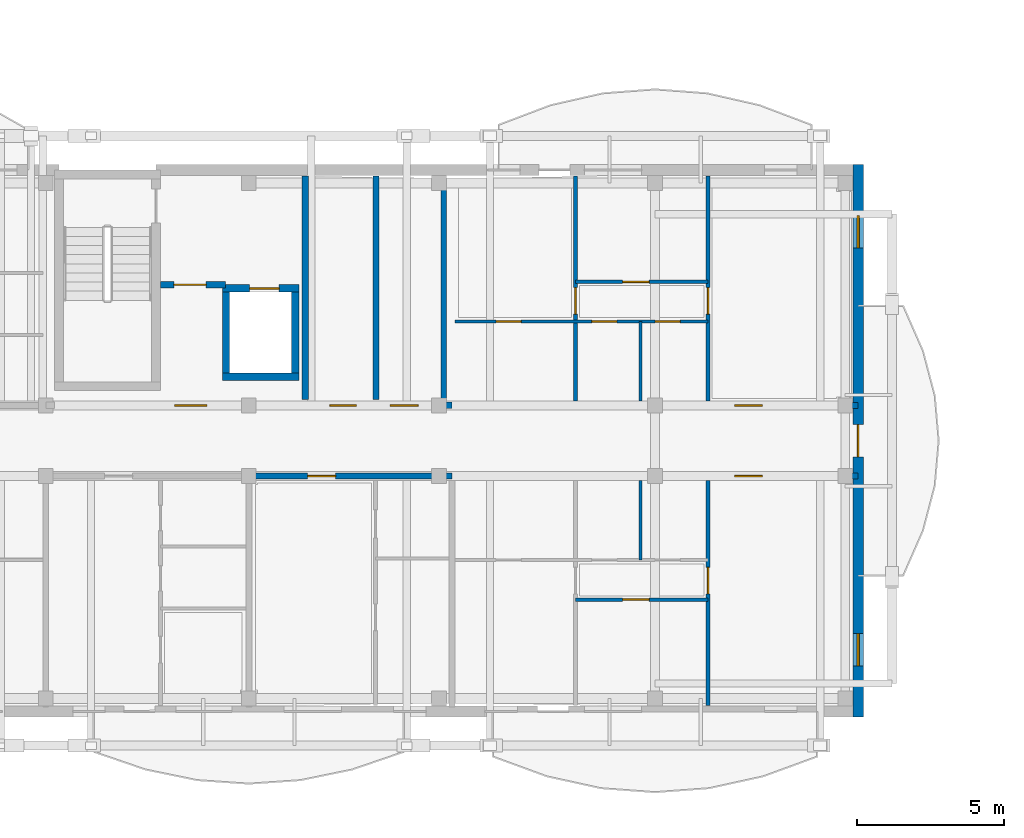
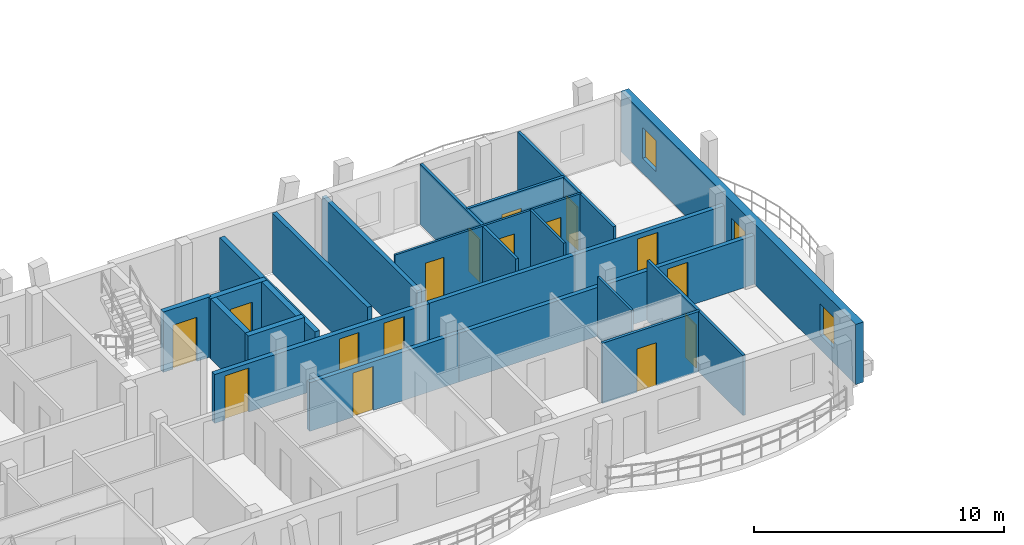
# One storey, part 20 of 52: 21 walls, 17 doors, 2 windows, 19 openings.
"""IFC4 building model written with IfcOpenShell, lengths in metres."""

from ifc_helpers import new_model, si_unit, direction, frame, frame_2d, origin, origin_with_axes, place, context, subcontext, project, spatial, rectangle, extrude, material, layer, layer_set, type_object, element, fill, save


model = new_model("IFC4")

# Units and contexts
model_context = context("Model", 3, precision=1e-05, world=origin(), true_north=direction((0.0, 1.0)))
body_context = subcontext(model_context, "Body", "Model", "MODEL_VIEW")
ifc_project = project(units=[si_unit("LENGTHUNIT", "METRE"), si_unit("AREAUNIT", "SQUARE_METRE"), si_unit("VOLUMEUNIT", "CUBIC_METRE"), si_unit("PLANEANGLEUNIT", "RADIAN"), si_unit("MASSUNIT", "GRAM", prefix="KILO")], contexts=[model_context])

# Site, building, storey
site_placement = place(None, origin())
site = spatial("IfcSite", under=ifc_project, at=site_placement, CompositionType="ELEMENT")
building_placement = place(site_placement, origin())
building = spatial("IfcBuilding", under=site, at=building_placement, Name="Zavelmont Quarter", CompositionType="ELEMENT")
storey_placement = place(building_placement, frame((0.0, 0.0, 14.39990234375)))
storey = spatial("IfcBuildingStorey", under=building, at=storey_placement, Name="L04", CompositionType="ELEMENT", Elevation=14.39990234375)

# Wall, openings, door, windows
ifc_material_1 = material(Name="Natural Belgian limestone", Category="masonry")
ifc_layer_1 = layer(ifc_material_1, 0.360107421875)
ifc_layer_set_1 = layer_set([ifc_layer_1], Name="Natural Belgian limestone")
wall_type_1 = type_object("IfcWallType", Name="EW02", PredefinedType="STANDARD", material=ifc_layer_set_1)
wall_1_placement = place(storey_placement, frame((55.199951171875, -0.179931640625, 0.0), z_axis=(0.0, 0.0, 1.0), x_axis=(0.0, 1.0, 0.0)))
wall_1 = element("IfcWall", 1, at=wall_1_placement, inside=storey, type_object=wall_type_1, Name="L04 exterior limestone wall EW02", PredefinedType="STANDARD", context=body_context, shape_type="SweptSolid", body=[
    extrude(rectangle(XDim=18.760009765625, YDim=0.360107421875, at=frame_2d((9.3798828125, 0.0))), origin(), (0.0, 0.0, 1.0), 2.940185546875),
])
opening_1_placement = place(wall_1_placement, frame((8.830078125, 0.0, 0.0)))
opening_1 = element("IfcOpeningElement", 2, at=opening_1_placement, cuts=wall_1, Name="Opening DR04B", PredefinedType="OPENING", context=body_context, shape_type="SweptSolid", body=[
    extrude(rectangle(XDim=1.10009765625, YDim=2.10009765625, at=frame_2d((0.550048828125, 1.050048828125))), frame((0.0, 0.19189453125, 0.0), z_axis=(0.0, -1.0, 0.0), x_axis=(1.0, 0.0, 0.0)), (0.0, 0.0, 1.0), 0.384033203125),
])
opening_2_placement = place(wall_1_placement, frame((1.72998046875, 0.0, 0.719970703125)))
opening_2 = element("IfcOpeningElement", 3, at=opening_2_placement, cuts=wall_1, Name="Opening WN09", PredefinedType="OPENING", context=body_context, shape_type="SweptSolid", body=[
    extrude(rectangle(XDim=1.10009765625, YDim=1.5, at=frame_2d((0.550048828125, 0.75))), frame((0.0, 0.19189453125, 0.0), z_axis=(0.0, -1.0, 0.0), x_axis=(1.0, 0.0, 0.0)), (0.0, 0.0, 1.0), 0.384033203125),
])
opening_3_placement = place(wall_1_placement, frame((15.929931640625, 0.0, 0.719970703125)))
opening_3 = element("IfcOpeningElement", 4, at=opening_3_placement, cuts=wall_1, Name="Opening WN09", PredefinedType="OPENING", context=body_context, shape_type="SweptSolid", body=[
    extrude(rectangle(XDim=1.10009765625, YDim=1.5, at=frame_2d((0.550048828125, 0.75))), frame((0.0, 0.19189453125, 0.0), z_axis=(0.0, -1.0, 0.0), x_axis=(1.0, 0.0, 0.0)), (0.0, 0.0, 1.0), 0.384033203125),
])
ifc_material_2 = material(Name="Thermally broken aluminium and double safety glass", Category="aluminium")
door_type_1 = type_object("IfcDoorType", Name="DR04B", OperationType="NOTDEFINED", PredefinedType="DOOR", material=ifc_material_2)
door_1_placement = place(opening_1_placement, origin_with_axes())
door_1 = element("IfcDoor", 5, at=door_1_placement, inside=storey, type_object=door_type_1, Name="Block A L04 terrace or vase balcony door", OperationType="SINGLE_SWING_LEFT", OverallHeight=2.10009765625, OverallWidth=1.10009765625, PredefinedType="DOOR", context=body_context, shape_type="SweptSolid", body=[
    extrude(rectangle(XDim=1.10009765625, YDim=2.10009765625, at=frame_2d((0.550048828125, 1.050048828125))), frame((0.0, 0.02490234375, 0.0), z_axis=(0.0, -1.0, 0.0), x_axis=(1.0, 0.0, 0.0)), (0.0, 0.0, 1.0), 0.050048828125),
])
fill(opening_1, door_1)
ifc_material_3 = material(Name="Double low-E insulated glazing in thermally broken aluminium frame", Category="aluminium")
window_type = type_object("IfcWindowType", Name="WN09", PartitioningType="SINGLE_PANEL", PredefinedType="WINDOW", material=ifc_material_3)
window_1_placement = place(opening_2_placement, origin_with_axes())
window_1 = element("IfcWindow", 6, at=window_1_placement, inside=storey, type_object=window_type, Name="L04 window WN09", OverallHeight=1.5, OverallWidth=1.10009765625, PartitioningType="SINGLE_PANEL", PredefinedType="WINDOW", context=body_context, shape_type="SweptSolid", body=[
    extrude(rectangle(XDim=1.10009765625, YDim=1.5, at=frame_2d((0.550048828125, 0.75))), frame((0.0, 0.030029296875, 0.0), z_axis=(0.0, -1.0, 0.0), x_axis=(1.0, 0.0, 0.0)), (0.0, 0.0, 1.0), 0.06005859375),
])
fill(opening_2, window_1)
window_2_placement = place(opening_3_placement, origin_with_axes())
window_2 = element("IfcWindow", 7, at=window_2_placement, inside=storey, type_object=window_type, Name="L04 window WN09", OverallHeight=1.5, OverallWidth=1.10009765625, PartitioningType="SINGLE_PANEL", PredefinedType="WINDOW", context=body_context, shape_type="SweptSolid", body=[
    extrude(rectangle(XDim=1.10009765625, YDim=1.5, at=frame_2d((0.550048828125, 0.75))), frame((0.0, 0.030029296875, 0.0), z_axis=(0.0, -1.0, 0.0), x_axis=(1.0, 0.0, 0.0)), (0.0, 0.0, 1.0), 0.06005859375),
])
fill(opening_3, window_2)

# Walls
ifc_material_4 = material(Name="Calcium-silicate blockwork and acoustic plaster", Category="masonry")
ifc_layer_2 = layer(ifc_material_4, 0.199951171875)
ifc_layer_set_2 = layer_set([ifc_layer_2], Name="Calcium-silicate blockwork and acoustic plaster")
wall_type_2 = type_object("IfcWallType", Name="IW01", PredefinedType="PARTITIONING", material=ifc_layer_set_2)
for number, where, z_axis, x_axis, name in (
    (8, (38.824951171875, 10.60009765625, 0.0), (0.0, 0.0, 1.0), (0.0, 1.0, 0.0), "L04 Service riser divider wall IW01"),
    (9, (41.1201171875, 10.60009765625, 0.0), (0.0, 0.0, 1.0), (0.0, 1.0, 0.0), "L04 Core service end wall IW01"),
):
    element("IfcWall", number, at=place(storey_placement, frame(where, z_axis=z_axis, x_axis=x_axis)), inside=storey, type_object=wall_type_2, Name=name, PredefinedType="PARTITIONING", context=body_context, shape_type="SweptSolid", body=[
        extrude(rectangle(XDim=7.599853515625, YDim=0.199951171875, at=frame_2d((3.7998046875, 0.0))), origin(), (0.0, 0.0, 1.0), 2.940185546875),
    ])

# Wall, opening, door
wall_2_placement = place(storey_placement, frame((34.5, 8.0, 0.0), z_axis=(0.0, 0.0, 1.0), x_axis=(1.0, 0.0, 0.0)))
wall_2 = element("IfcWall", 10, at=wall_2_placement, inside=storey, type_object=wall_type_2, Name="L04 Corridor compartment wall IW01", PredefinedType="PARTITIONING", context=body_context, shape_type="SweptSolid", body=[
    extrude(rectangle(XDim=6.89990234375, YDim=0.199951171875, at=frame_2d((3.449951171875, 0.0))), origin(), (0.0, 0.0, 1.0), 2.380126953125),
])
opening_4_placement = place(wall_2_placement, frame((2.0, 0.0, 0.0)))
opening_4 = element("IfcOpeningElement", 11, at=opening_4_placement, cuts=wall_2, Name="Opening DR02", PredefinedType="OPENING", context=body_context, shape_type="SweptSolid", body=[
    extrude(rectangle(XDim=0.949951171875, YDim=2.14990234375, at=frame_2d((0.47509765625, 1.074951171875))), frame((0.0, 0.11181640625, 0.0), z_axis=(0.0, -1.0, 0.0), x_axis=(1.0, 0.0, 0.0)), (0.0, 0.0, 1.0), 0.223876953125),
])
ifc_material_5 = material(Name="Solid-core oak fire leaf in steel frame", Category="steel")
door_type_2 = type_object("IfcDoorType", Name="DR02", OperationType="NOTDEFINED", PredefinedType="DOOR", material=ifc_material_5)
door_2_placement = place(opening_4_placement, frame((0.949951171875, 0.0, 0.0), z_axis=(0.0, 0.0, 1.0), x_axis=(-1.0, 0.0, 0.0)))
door_2 = element("IfcDoor", 12, at=door_2_placement, inside=storey, type_object=door_type_2, Name="L04 door DR02", OperationType="SINGLE_SWING_LEFT", OverallHeight=2.14990234375, OverallWidth=0.949951171875, PredefinedType="DOOR", context=body_context, shape_type="SweptSolid", body=[
    extrude(rectangle(XDim=0.949951171875, YDim=2.14990234375, at=frame_2d((0.47509765625, 1.074951171875))), frame((0.0, 0.02490234375, 0.0), z_axis=(0.0, -1.0, 0.0), x_axis=(1.0, 0.0, 0.0)), (0.0, 0.0, 1.0), 0.050048828125),
])
fill(opening_4, door_2)

wall_3_placement = place(storey_placement, frame((41.39990234375, 8.0, 0.0), z_axis=(0.0, 0.0, 1.0), x_axis=(1.0, 0.0, 0.0)))
wall_3 = element("IfcWall", 13, at=wall_3_placement, inside=storey, type_object=wall_type_2, Name="L04 Corridor compartment wall IW01", PredefinedType="PARTITIONING", context=body_context, shape_type="SweptSolid", body=[
    extrude(rectangle(XDim=13.800048828125, YDim=0.199951171875, at=frame_2d((6.89990234375, 0.0))), origin(), (0.0, 0.0, 1.0), 2.380126953125),
])
opening_5_placement = place(wall_3_placement, frame((9.60009765625, 0.0, 0.0)))
opening_5 = element("IfcOpeningElement", 14, at=opening_5_placement, cuts=wall_3, Name="Opening DR02", PredefinedType="OPENING", context=body_context, shape_type="SweptSolid", body=[
    extrude(rectangle(XDim=0.949951171875, YDim=2.14990234375, at=frame_2d((0.47509765625, 1.074951171875))), frame((0.0, 0.11181640625, 0.0), z_axis=(0.0, -1.0, 0.0), x_axis=(1.0, 0.0, 0.0)), (0.0, 0.0, 1.0), 0.223876953125),
])
door_3_placement = place(opening_5_placement, frame((0.949951171875, 0.0, 0.0), z_axis=(0.0, 0.0, 1.0), x_axis=(-1.0, 0.0, 0.0)))
door_3 = element("IfcDoor", 15, at=door_3_placement, inside=storey, type_object=door_type_2, Name="L04 door DR02", OperationType="SINGLE_SWING_LEFT", OverallHeight=2.14990234375, OverallWidth=0.949951171875, PredefinedType="DOOR", context=body_context, shape_type="SweptSolid", body=[
    extrude(rectangle(XDim=0.949951171875, YDim=2.14990234375, at=frame_2d((0.47509765625, 1.074951171875))), frame((0.0, 0.02490234375, 0.0), z_axis=(0.0, -1.0, 0.0), x_axis=(1.0, 0.0, 0.0)), (0.0, 0.0, 1.0), 0.050048828125),
])
fill(opening_5, door_3)

wall_4_placement = place(storey_placement, frame((41.39990234375, 10.39990234375, 0.0), z_axis=(0.0, 0.0, 1.0), x_axis=(1.0, 0.0, 0.0)))
wall_4 = element("IfcWall", 16, at=wall_4_placement, inside=storey, type_object=wall_type_2, Name="L04 Corridor compartment wall IW01", PredefinedType="PARTITIONING", context=body_context, shape_type="SweptSolid", body=[
    extrude(rectangle(XDim=13.800048828125, YDim=0.199951171875, at=frame_2d((6.89990234375, 0.0))), origin(), (0.0, 0.0, 1.0), 2.380126953125),
])
opening_6_placement = place(wall_4_placement, frame((9.60009765625, 0.0, 0.0)))
opening_6 = element("IfcOpeningElement", 17, at=opening_6_placement, cuts=wall_4, Name="Opening DR02", PredefinedType="OPENING", context=body_context, shape_type="SweptSolid", body=[
    extrude(rectangle(XDim=0.949951171875, YDim=2.14990234375, at=frame_2d((0.47509765625, 1.074951171875))), frame((0.0, 0.11181640625, 0.0), z_axis=(0.0, -1.0, 0.0), x_axis=(1.0, 0.0, 0.0)), (0.0, 0.0, 1.0), 0.223876953125),
])
door_4_placement = place(opening_6_placement, origin_with_axes())
door_4 = element("IfcDoor", 18, at=door_4_placement, inside=storey, type_object=door_type_2, Name="L04 door DR02", OperationType="SINGLE_SWING_LEFT", OverallHeight=2.14990234375, OverallWidth=0.949951171875, PredefinedType="DOOR", context=body_context, shape_type="SweptSolid", body=[
    extrude(rectangle(XDim=0.949951171875, YDim=2.14990234375, at=frame_2d((0.47509765625, 1.074951171875))), frame((0.0, 0.02490234375, 0.0), z_axis=(0.0, -1.0, 0.0), x_axis=(1.0, 0.0, 0.0)), (0.0, 0.0, 1.0), 0.050048828125),
])
fill(opening_6, door_4)

# Wall
ifc_material_6 = material(Name="Reinforced masonry fire compartment wall", Category="masonry")
ifc_layer_3 = layer(ifc_material_6, 0.22509765625)
ifc_layer_set_3 = layer_set([ifc_layer_3], Name="Reinforced masonry fire compartment wall")
wall_type_3 = type_object("IfcWallType", Name="IW02", PredefinedType="PARTITIONING", material=ifc_layer_set_3)
wall_5_placement = place(storey_placement, frame((36.409912109375, 10.60009765625, 0.0), z_axis=(0.0, 0.0, 1.0), x_axis=(0.0, 1.0, 0.0)))
element("IfcWall", 19, at=wall_5_placement, inside=storey, type_object=wall_type_3, Name="L04 Firefighting lobby enclosure wall IW02", PredefinedType="PARTITIONING", context=body_context, shape_type="SweptSolid", body=[
    extrude(rectangle(XDim=7.599853515625, YDim=0.22509765625, at=frame_2d((3.7998046875, 0.0))), origin(), (0.0, 0.0, 1.0), 2.590087890625),
])

# Wall, opening, door
wall_6_placement = place(storey_placement, frame((31.5, 14.5, 0.0), z_axis=(0.0, 0.0, 1.0), x_axis=(1.0, 0.0, 0.0)))
wall_6 = element("IfcWall", 20, at=wall_6_placement, inside=storey, type_object=wall_type_3, Name="L04 Firefighting lobby threshold wall IW02", PredefinedType="PARTITIONING", context=body_context, shape_type="SweptSolid", body=[
    extrude(rectangle(XDim=2.199951171875, YDim=0.22509765625, at=frame_2d((1.10009765625, 0.0))), origin(), (0.0, 0.0, 1.0), 2.940185546875),
])
opening_7_placement = place(wall_6_placement, frame((0.449951171875, 0.0, 0.0)))
opening_7 = element("IfcOpeningElement", 21, at=opening_7_placement, cuts=wall_6, Name="Opening DR10", PredefinedType="OPENING", context=body_context, shape_type="SweptSolid", body=[
    extrude(rectangle(XDim=1.10009765625, YDim=2.14990234375, at=frame_2d((0.550048828125, 1.074951171875))), frame((0.0, 0.12451171875, 0.0), z_axis=(0.0, -1.0, 0.0), x_axis=(1.0, 0.0, 0.0)), (0.0, 0.0, 1.0), 0.2490234375),
])
ifc_material_7 = material(Name="Painted steel lobby fire door", Category="steel")
door_type_3 = type_object("IfcDoorType", Name="DR10", OperationType="NOTDEFINED", PredefinedType="DOOR", material=ifc_material_7)
door_5_placement = place(opening_7_placement, origin_with_axes())
door_5 = element("IfcDoor", 22, at=door_5_placement, inside=storey, type_object=door_type_3, Name="Firefighting lobby fire door", OperationType="SINGLE_SWING_LEFT", OverallHeight=2.14990234375, OverallWidth=1.10009765625, PredefinedType="DOOR", context=body_context, shape_type="SweptSolid", body=[
    extrude(rectangle(XDim=1.10009765625, YDim=2.14990234375, at=frame_2d((0.550048828125, 1.074951171875))), frame((0.0, 0.02490234375, 0.0), z_axis=(0.0, -1.0, 0.0), x_axis=(1.0, 0.0, 0.0)), (0.0, 0.0, 1.0), 0.050048828125),
])
fill(opening_7, door_5)

# Wall, openings, doors
wall_7_placement = place(storey_placement, frame((31.5, 10.39990234375, 0.0), z_axis=(0.0, 0.0, 1.0), x_axis=(1.0, 0.0, 0.0)))
wall_7 = element("IfcWall", 23, at=wall_7_placement, inside=storey, type_object=wall_type_3, Name="L04 Core corridor fire wall IW02", PredefinedType="PARTITIONING", context=body_context, shape_type="SweptSolid", body=[
    extrude(rectangle(XDim=9.89990234375, YDim=0.22509765625, at=frame_2d((4.949951171875, 0.0))), origin(), (0.0, 0.0, 1.0), 2.380126953125),
])
opening_8_placement = place(wall_7_placement, frame((0.47509765625, 0.0, 0.0)))
opening_8 = element("IfcOpeningElement", 24, at=opening_8_placement, cuts=wall_7, Name="Opening DR10", PredefinedType="OPENING", context=body_context, shape_type="SweptSolid", body=[
    extrude(rectangle(XDim=1.10009765625, YDim=2.14990234375, at=frame_2d((0.550048828125, 1.074951171875))), frame((0.0, 0.12451171875, 0.0), z_axis=(0.0, -1.0, 0.0), x_axis=(1.0, 0.0, 0.0)), (0.0, 0.0, 1.0), 0.2490234375),
])
opening_9_placement = place(wall_7_placement, frame((5.75, 0.0, 0.0)))
opening_9 = element("IfcOpeningElement", 25, at=opening_9_placement, cuts=wall_7, Name="Opening DR11", PredefinedType="OPENING", context=body_context, shape_type="SweptSolid", body=[
    extrude(rectangle(XDim=0.89990234375, YDim=2.10009765625, at=frame_2d((0.449951171875, 1.050048828125))), frame((0.0, 0.12451171875, 0.0), z_axis=(0.0, -1.0, 0.0), x_axis=(1.0, 0.0, 0.0)), (0.0, 0.0, 1.0), 0.2490234375),
])
opening_10_placement = place(wall_7_placement, frame((7.800048828125, 0.0, 0.0)))
opening_10 = element("IfcOpeningElement", 26, at=opening_10_placement, cuts=wall_7, Name="Opening DR02", PredefinedType="OPENING", context=body_context, shape_type="SweptSolid", body=[
    extrude(rectangle(XDim=0.949951171875, YDim=2.14990234375, at=frame_2d((0.47509765625, 1.074951171875))), frame((0.0, 0.12451171875, 0.0), z_axis=(0.0, -1.0, 0.0), x_axis=(1.0, 0.0, 0.0)), (0.0, 0.0, 1.0), 0.2490234375),
])
door_6_placement = place(opening_10_placement, frame((0.949951171875, 0.0, 0.0), z_axis=(0.0, 0.0, 1.0), x_axis=(-1.0, 0.0, 0.0)))
door_6 = element("IfcDoor", 27, at=door_6_placement, inside=storey, type_object=door_type_2, Name="Auxiliary store corridor door", OperationType="SINGLE_SWING_RIGHT", OverallHeight=2.14990234375, OverallWidth=0.949951171875, PredefinedType="DOOR", context=body_context, shape_type="SweptSolid", body=[
    extrude(rectangle(XDim=0.949951171875, YDim=2.14990234375, at=frame_2d((0.47509765625, 1.074951171875))), frame((0.0, 0.02490234375, 0.0), z_axis=(0.0, -1.0, 0.0), x_axis=(1.0, 0.0, 0.0)), (0.0, 0.0, 1.0), 0.050048828125),
])
fill(opening_10, door_6)
door_7_placement = place(opening_8_placement, origin_with_axes())
door_7 = element("IfcDoor", 28, at=door_7_placement, inside=storey, type_object=door_type_3, Name="Core vestibule fire door", OperationType="SINGLE_SWING_RIGHT", OverallHeight=2.14990234375, OverallWidth=1.10009765625, PredefinedType="DOOR", context=body_context, shape_type="SweptSolid", body=[
    extrude(rectangle(XDim=1.10009765625, YDim=2.14990234375, at=frame_2d((0.550048828125, 1.074951171875))), frame((0.0, 0.02490234375, 0.0), z_axis=(0.0, -1.0, 0.0), x_axis=(1.0, 0.0, 0.0)), (0.0, 0.0, 1.0), 0.050048828125),
])
fill(opening_8, door_7)
ifc_material_8 = material(Name="Painted steel service-riser fire door", Category="steel")
door_type_4 = type_object("IfcDoorType", Name="DR11", OperationType="NOTDEFINED", PredefinedType="DOOR", material=ifc_material_8)
door_8_placement = place(opening_9_placement, frame((0.89990234375, 0.0, 0.0), z_axis=(0.0, 0.0, 1.0), x_axis=(-1.0, 0.0, 0.0)))
door_8 = element("IfcDoor", 29, at=door_8_placement, inside=storey, type_object=door_type_4, Name="Service riser fire door", OperationType="SINGLE_SWING_LEFT", OverallHeight=2.10009765625, OverallWidth=0.89990234375, PredefinedType="DOOR", context=body_context, shape_type="SweptSolid", body=[
    extrude(rectangle(XDim=0.89990234375, YDim=2.10009765625, at=frame_2d((0.449951171875, 1.050048828125))), frame((0.0, 0.02490234375, 0.0), z_axis=(0.0, -1.0, 0.0), x_axis=(1.0, 0.0, 0.0)), (0.0, 0.0, 1.0), 0.050048828125),
])
fill(opening_9, door_8)

# Wall, opening, door
ifc_material_9 = material(Name="Double gypsum board on acoustic steel stud", Category="steel")
ifc_layer_4 = layer(ifc_material_9, 0.125)
ifc_layer_set_4 = layer_set([ifc_layer_4], Name="Double gypsum board on acoustic steel stud")
wall_type_4 = type_object("IfcWallType", Name="IW03", PredefinedType="PARTITIONING", material=ifc_layer_set_4)
wall_8_placement = place(storey_placement, frame((50.10009765625, 7.85009765625, 0.0), z_axis=(0.0, 0.0, 1.0), x_axis=(0.0, -1.0, 0.0)))
wall_8 = element("IfcWall", 30, at=wall_8_placement, inside=storey, type_object=wall_type_4, Name="L04 Partition IW03", PredefinedType="PARTITIONING", context=body_context, shape_type="SweptSolid", body=[
    extrude(rectangle(XDim=7.650146484375, YDim=0.125, at=frame_2d((3.8251953125, 0.0))), origin(), (0.0, 0.0, 1.0), 2.940185546875),
])
opening_11_placement = place(wall_8_placement, frame((2.949951171875, 0.0, 0.0)))
opening_11 = element("IfcOpeningElement", 31, at=opening_11_placement, cuts=wall_8, Name="Opening DR05", PredefinedType="OPENING", context=body_context, shape_type="SweptSolid", body=[
    extrude(rectangle(XDim=0.89990234375, YDim=2.10009765625, at=frame_2d((0.449951171875, 1.050048828125))), frame((0.0, 0.074462890625, 0.0), z_axis=(0.0, -1.0, 0.0), x_axis=(1.0, 0.0, 0.0)), (0.0, 0.0, 1.0), 0.14892578125),
])
ifc_material_10 = material(Name="Engineered oak flush interior door")
door_type_5 = type_object("IfcDoorType", Name="DR05", OperationType="NOTDEFINED", PredefinedType="DOOR", material=ifc_material_10)
door_9_placement = place(opening_11_placement, origin_with_axes())
door_9 = element("IfcDoor", 32, at=door_9_placement, inside=storey, type_object=door_type_5, Name="L04 door DR05", OperationType="SINGLE_SWING_LEFT", OverallHeight=2.10009765625, OverallWidth=0.89990234375, PredefinedType="DOOR", context=body_context, shape_type="SweptSolid", body=[
    extrude(rectangle(XDim=0.89990234375, YDim=2.10009765625, at=frame_2d((0.449951171875, 1.050048828125))), frame((0.0, 0.02490234375, 0.0), z_axis=(0.0, -1.0, 0.0), x_axis=(1.0, 0.0, 0.0)), (0.0, 0.0, 1.0), 0.050048828125),
])
fill(opening_11, door_9)

wall_9_placement = place(storey_placement, frame((45.60009765625, 3.800048828125, 0.0), z_axis=(0.0, 0.0, 1.0), x_axis=(1.0, 0.0, 0.0)))
wall_9 = element("IfcWall", 33, at=wall_9_placement, inside=storey, type_object=wall_type_4, Name="L04 Partition IW03", PredefinedType="PARTITIONING", context=body_context, shape_type="SweptSolid", body=[
    extrude(rectangle(XDim=4.5, YDim=0.125, at=frame_2d((2.25, 0.0))), origin(), (0.0, 0.0, 1.0), 2.940185546875),
])
opening_12_placement = place(wall_9_placement, frame((1.60009765625, 0.0, 0.0)))
opening_12 = element("IfcOpeningElement", 34, at=opening_12_placement, cuts=wall_9, Name="Opening DR05", PredefinedType="OPENING", context=body_context, shape_type="SweptSolid", body=[
    extrude(rectangle(XDim=0.89990234375, YDim=2.10009765625, at=frame_2d((0.449951171875, 1.050048828125))), frame((0.0, 0.074462890625, 0.0), z_axis=(0.0, -1.0, 0.0), x_axis=(1.0, 0.0, 0.0)), (0.0, 0.0, 1.0), 0.14892578125),
])
door_10_placement = place(opening_12_placement, frame((0.89990234375, 0.0, 0.0), z_axis=(0.0, 0.0, 1.0), x_axis=(-1.0, 0.0, 0.0)))
door_10 = element("IfcDoor", 35, at=door_10_placement, inside=storey, type_object=door_type_5, Name="L04 door DR05", OperationType="SINGLE_SWING_RIGHT", OverallHeight=2.10009765625, OverallWidth=0.89990234375, PredefinedType="DOOR", context=body_context, shape_type="SweptSolid", body=[
    extrude(rectangle(XDim=0.89990234375, YDim=2.10009765625, at=frame_2d((0.449951171875, 1.050048828125))), frame((0.0, 0.02490234375, 0.0), z_axis=(0.0, -1.0, 0.0), x_axis=(1.0, 0.0, 0.0)), (0.0, 0.0, 1.0), 0.050048828125),
])
fill(opening_12, door_10)

wall_10_placement = place(storey_placement, frame((50.10009765625, 10.550048828125, 0.0), z_axis=(0.0, 0.0, 1.0), x_axis=(0.0, 1.0, 0.0)))
wall_10 = element("IfcWall", 36, at=wall_10_placement, inside=storey, type_object=wall_type_4, Name="L04 Partition IW03", PredefinedType="PARTITIONING", context=body_context, shape_type="SweptSolid", body=[
    extrude(rectangle(XDim=7.64990234375, YDim=0.125, at=frame_2d((3.824951171875, 0.0))), origin(), (0.0, 0.0, 1.0), 2.940185546875),
])
opening_13_placement = place(wall_10_placement, frame((2.949951171875, 0.0, 0.0)))
opening_13 = element("IfcOpeningElement", 37, at=opening_13_placement, cuts=wall_10, Name="Opening DR05", PredefinedType="OPENING", context=body_context, shape_type="SweptSolid", body=[
    extrude(rectangle(XDim=0.89990234375, YDim=2.10009765625, at=frame_2d((0.449951171875, 1.050048828125))), frame((0.0, 0.074462890625, 0.0), z_axis=(0.0, -1.0, 0.0), x_axis=(1.0, 0.0, 0.0)), (0.0, 0.0, 1.0), 0.14892578125),
])
door_11_placement = place(opening_13_placement, origin_with_axes())
door_11 = element("IfcDoor", 38, at=door_11_placement, inside=storey, type_object=door_type_5, Name="L04 door DR05", OperationType="SINGLE_SWING_LEFT", OverallHeight=2.10009765625, OverallWidth=0.89990234375, PredefinedType="DOOR", context=body_context, shape_type="SweptSolid", body=[
    extrude(rectangle(XDim=0.89990234375, YDim=2.10009765625, at=frame_2d((0.449951171875, 1.050048828125))), frame((0.0, 0.02490234375, 0.0), z_axis=(0.0, -1.0, 0.0), x_axis=(1.0, 0.0, 0.0)), (0.0, 0.0, 1.0), 0.050048828125),
])
fill(opening_13, door_11)

wall_11_placement = place(storey_placement, frame((45.60009765625, 10.550048828125, 0.0), z_axis=(0.0, 0.0, 1.0), x_axis=(0.0, 1.0, 0.0)))
wall_11 = element("IfcWall", 39, at=wall_11_placement, inside=storey, type_object=wall_type_4, Name="L04 Partition IW03", PredefinedType="PARTITIONING", context=body_context, shape_type="SweptSolid", body=[
    extrude(rectangle(XDim=7.64990234375, YDim=0.125, at=frame_2d((3.824951171875, 0.0))), origin(), (0.0, 0.0, 1.0), 2.940185546875),
])
opening_14_placement = place(wall_11_placement, frame((2.949951171875, 0.0, 0.0)))
opening_14 = element("IfcOpeningElement", 40, at=opening_14_placement, cuts=wall_11, Name="Opening DR05", PredefinedType="OPENING", context=body_context, shape_type="SweptSolid", body=[
    extrude(rectangle(XDim=0.89990234375, YDim=2.10009765625, at=frame_2d((0.449951171875, 1.050048828125))), frame((0.0, 0.074462890625, 0.0), z_axis=(0.0, -1.0, 0.0), x_axis=(1.0, 0.0, 0.0)), (0.0, 0.0, 1.0), 0.14892578125),
])
door_12_placement = place(opening_14_placement, frame((0.89990234375, 0.0, 0.0), z_axis=(0.0, 0.0, 1.0), x_axis=(-1.0, 0.0, 0.0)))
door_12 = element("IfcDoor", 41, at=door_12_placement, inside=storey, type_object=door_type_5, Name="L04 door DR05", OperationType="SINGLE_SWING_RIGHT", OverallHeight=2.10009765625, OverallWidth=0.89990234375, PredefinedType="DOOR", context=body_context, shape_type="SweptSolid", body=[
    extrude(rectangle(XDim=0.89990234375, YDim=2.10009765625, at=frame_2d((0.449951171875, 1.050048828125))), frame((0.0, 0.02490234375, 0.0), z_axis=(0.0, -1.0, 0.0), x_axis=(1.0, 0.0, 0.0)), (0.0, 0.0, 1.0), 0.050048828125),
])
fill(opening_14, door_12)

wall_12_placement = place(storey_placement, frame((45.60009765625, 14.60009765625, 0.0), z_axis=(0.0, 0.0, 1.0), x_axis=(1.0, 0.0, 0.0)))
wall_12 = element("IfcWall", 42, at=wall_12_placement, inside=storey, type_object=wall_type_4, Name="L04 Partition IW03", PredefinedType="PARTITIONING", context=body_context, shape_type="SweptSolid", body=[
    extrude(rectangle(XDim=4.5, YDim=0.125, at=frame_2d((2.25, 0.0))), origin(), (0.0, 0.0, 1.0), 2.940185546875),
])
opening_15_placement = place(wall_12_placement, frame((1.60009765625, 0.0, 0.0)))
opening_15 = element("IfcOpeningElement", 43, at=opening_15_placement, cuts=wall_12, Name="Opening DR05", PredefinedType="OPENING", context=body_context, shape_type="SweptSolid", body=[
    extrude(rectangle(XDim=0.89990234375, YDim=2.10009765625, at=frame_2d((0.449951171875, 1.050048828125))), frame((0.0, 0.074462890625, 0.0), z_axis=(0.0, -1.0, 0.0), x_axis=(1.0, 0.0, 0.0)), (0.0, 0.0, 1.0), 0.14892578125),
])
door_13_placement = place(opening_15_placement, frame((0.89990234375, 0.0, 0.0), z_axis=(0.0, 0.0, 1.0), x_axis=(-1.0, 0.0, 0.0)))
door_13 = element("IfcDoor", 44, at=door_13_placement, inside=storey, type_object=door_type_5, Name="L04 door DR05", OperationType="SINGLE_SWING_RIGHT", OverallHeight=2.10009765625, OverallWidth=0.89990234375, PredefinedType="DOOR", context=body_context, shape_type="SweptSolid", body=[
    extrude(rectangle(XDim=0.89990234375, YDim=2.10009765625, at=frame_2d((0.449951171875, 1.050048828125))), frame((0.0, 0.02490234375, 0.0), z_axis=(0.0, -1.0, 0.0), x_axis=(1.0, 0.0, 0.0)), (0.0, 0.0, 1.0), 0.050048828125),
])
fill(opening_15, door_13)

# Walls
ifc_material_11 = material(Name="Moisture-resistant gypsum board on steel stud", Category="steel")
ifc_layer_5 = layer(ifc_material_11, 0.10009765625)
ifc_layer_set_5 = layer_set([ifc_layer_5], Name="Moisture-resistant gypsum board on steel stud")
wall_type_5 = type_object("IfcWallType", Name="IW04", PredefinedType="PARTITIONING", material=ifc_layer_set_5)
wall_13_placement = place(storey_placement, frame((47.800048828125, 7.85009765625, 0.0), z_axis=(0.0, 0.0, 1.0), x_axis=(0.0, -1.0, 0.0)))
element("IfcWall", 45, at=wall_13_placement, inside=storey, type_object=wall_type_5, Name="L04 Partition IW04", PredefinedType="PARTITIONING", context=body_context, shape_type="SweptSolid", body=[
    extrude(rectangle(XDim=2.7001953125, YDim=0.10009765625, at=frame_2d((1.35009765625, 0.0))), origin(), (0.0, 0.0, 1.0), 2.940185546875),
])
wall_14_placement = place(storey_placement, frame((47.800048828125, 10.550048828125, 0.0), z_axis=(0.0, 0.0, 1.0), x_axis=(0.0, 1.0, 0.0)))
element("IfcWall", 46, at=wall_14_placement, inside=storey, type_object=wall_type_5, Name="L04 Partition IW04", PredefinedType="PARTITIONING", context=body_context, shape_type="SweptSolid", body=[
    extrude(rectangle(XDim=2.699951171875, YDim=0.10009765625, at=frame_2d((1.35009765625, 0.0))), origin(), (0.0, 0.0, 1.0), 2.940185546875),
])

# Wall, openings, doors
wall_15_placement = place(storey_placement, frame((41.5, 13.25, 0.0), z_axis=(0.0, 0.0, 1.0), x_axis=(1.0, 0.0, 0.0)))
wall_15 = element("IfcWall", 47, at=wall_15_placement, inside=storey, type_object=wall_type_5, Name="L04 Partition IW04", PredefinedType="PARTITIONING", context=body_context, shape_type="SweptSolid", body=[
    extrude(rectangle(XDim=8.60009765625, YDim=0.10009765625, at=frame_2d((4.300048828125, 0.0))), origin(), (0.0, 0.0, 1.0), 2.940185546875),
])
opening_16_placement = place(wall_15_placement, frame((1.39990234375, 0.0, 0.0)))
opening_16 = element("IfcOpeningElement", 48, at=opening_16_placement, cuts=wall_15, Name="Opening DR06", PredefinedType="OPENING", context=body_context, shape_type="SweptSolid", body=[
    extrude(rectangle(XDim=0.85009765625, YDim=2.050048828125, at=frame_2d((0.425048828125, 1.02490234375))), frame((0.0, 0.06201171875, 0.0), z_axis=(0.0, -1.0, 0.0), x_axis=(1.0, 0.0, 0.0)), (0.0, 0.0, 1.0), 0.1240234375),
])
opening_17_placement = place(wall_15_placement, frame((4.64990234375, 0.0, 0.0)))
opening_17 = element("IfcOpeningElement", 49, at=opening_17_placement, cuts=wall_15, Name="Opening DR06", PredefinedType="OPENING", context=body_context, shape_type="SweptSolid", body=[
    extrude(rectangle(XDim=0.85009765625, YDim=2.050048828125, at=frame_2d((0.425048828125, 1.02490234375))), frame((0.0, 0.06201171875, 0.0), z_axis=(0.0, -1.0, 0.0), x_axis=(1.0, 0.0, 0.0)), (0.0, 0.0, 1.0), 0.1240234375),
])
opening_18_placement = place(wall_15_placement, frame((6.800048828125, 0.0, 0.0)))
opening_18 = element("IfcOpeningElement", 50, at=opening_18_placement, cuts=wall_15, Name="Opening DR16", PredefinedType="OPENING", context=body_context, shape_type="SweptSolid", body=[
    extrude(rectangle(XDim=0.85009765625, YDim=2.10009765625, at=frame_2d((0.425048828125, 1.050048828125))), frame((0.0, 0.06201171875, 0.0), z_axis=(0.0, -1.0, 0.0), x_axis=(1.0, 0.0, 0.0)), (0.0, 0.0, 1.0), 0.1240234375),
])
ifc_material_12 = material(Name="Moisture-resistant painted wet-room door")
door_type_6 = type_object("IfcDoorType", Name="DR06", OperationType="NOTDEFINED", PredefinedType="DOOR", material=ifc_material_12)
door_14_placement = place(opening_16_placement, origin_with_axes())
door_14 = element("IfcDoor", 51, at=door_14_placement, inside=storey, type_object=door_type_6, Name="L04 door DR06", OperationType="SINGLE_SWING_LEFT", OverallHeight=2.050048828125, OverallWidth=0.85009765625, PredefinedType="DOOR", context=body_context, shape_type="SweptSolid", body=[
    extrude(rectangle(XDim=0.85009765625, YDim=2.050048828125, at=frame_2d((0.425048828125, 1.02490234375))), frame((0.0, 0.02490234375, 0.0), z_axis=(0.0, -1.0, 0.0), x_axis=(1.0, 0.0, 0.0)), (0.0, 0.0, 1.0), 0.050048828125),
])
fill(opening_16, door_14)
door_15_placement = place(opening_17_placement, frame((0.85009765625, 0.0, 0.0), z_axis=(0.0, 0.0, 1.0), x_axis=(-1.0, 0.0, 0.0)))
door_15 = element("IfcDoor", 52, at=door_15_placement, inside=storey, type_object=door_type_6, Name="L04 door DR06", OperationType="SINGLE_SWING_RIGHT", OverallHeight=2.050048828125, OverallWidth=0.85009765625, PredefinedType="DOOR", context=body_context, shape_type="SweptSolid", body=[
    extrude(rectangle(XDim=0.85009765625, YDim=2.050048828125, at=frame_2d((0.425048828125, 1.02490234375))), frame((0.0, 0.02490234375, 0.0), z_axis=(0.0, -1.0, 0.0), x_axis=(1.0, 0.0, 0.0)), (0.0, 0.0, 1.0), 0.050048828125),
])
fill(opening_17, door_15)
door_type_7 = type_object("IfcDoorType", Name="DR16", OperationType="NOTDEFINED", PredefinedType="DOOR", material=ifc_material_10)
door_16_placement = place(opening_18_placement, origin_with_axes())
door_16 = element("IfcDoor", 53, at=door_16_placement, inside=storey, type_object=door_type_7, Name="L04 door DR16", OperationType="SINGLE_SWING_LEFT", OverallHeight=2.10009765625, OverallWidth=0.85009765625, PredefinedType="DOOR", context=body_context, shape_type="SweptSolid", body=[
    extrude(rectangle(XDim=0.85009765625, YDim=2.10009765625, at=frame_2d((0.425048828125, 1.050048828125))), frame((0.0, 0.02490234375, 0.0), z_axis=(0.0, -1.0, 0.0), x_axis=(1.0, 0.0, 0.0)), (0.0, 0.0, 1.0), 0.050048828125),
])
fill(opening_18, door_16)

# Wall, opening, door
ifc_material_13 = material(Name="Concrete C40/50", Category="concrete")
ifc_layer_6 = layer(ifc_material_13, 0.25)
ifc_layer_set_6 = layer_set([ifc_layer_6], Name="Concrete C40/50")
wall_type_6 = type_object("IfcWallType", Name="SW02", PredefinedType="SHEAR", material=ifc_layer_set_6)
wall_16_placement = place(storey_placement, frame((33.60009765625, 14.375, 0.0), z_axis=(0.0, 0.0, 1.0), x_axis=(1.0, 0.0, 0.0)))
wall_16 = element("IfcWall", 54, at=wall_16_placement, inside=storey, type_object=wall_type_6, Name="L04 Lift LF02 landing shaft wall SW02", PredefinedType="SHEAR", context=body_context, shape_type="SweptSolid", body=[
    extrude(rectangle(XDim=2.599853515625, YDim=0.25, at=frame_2d((1.2998046875, 0.0))), origin(), (0.0, 0.0, 1.0), 2.940185546875),
])
opening_19_placement = place(wall_16_placement, frame((0.925048828125, 0.0, 0.0)))
opening_19 = element("IfcOpeningElement", 55, at=opening_19_placement, cuts=wall_16, Name="Opening LD01", PredefinedType="OPENING", context=body_context, shape_type="SweptSolid", body=[
    extrude(rectangle(XDim=1.0, YDim=2.10009765625, at=frame_2d((0.5, 1.050048828125))), frame((0.0, 0.136962890625, 0.0), z_axis=(0.0, -1.0, 0.0), x_axis=(1.0, 0.0, 0.0)), (0.0, 0.0, 1.0), 0.27392578125),
])
ifc_material_14 = material(Name="Brushed stainless-steel automatic sliding landing door", Category="steel")
door_type_8 = type_object("IfcDoorType", Name="LD01", OperationType="SLIDING_TO_LEFT", PredefinedType="DOOR", material=ifc_material_14)
door_17_placement = place(opening_19_placement, origin_with_axes())
door_17 = element("IfcDoor", 56, at=door_17_placement, inside=storey, type_object=door_type_8, Name="Lift LF02 sliding landing door", OperationType="SLIDING_TO_LEFT", OverallHeight=2.10009765625, OverallWidth=1.0, PredefinedType="DOOR", context=body_context, shape_type="SweptSolid", body=[
    extrude(rectangle(XDim=1.0, YDim=2.10009765625, at=frame_2d((0.5, 1.050048828125))), frame((0.0, 0.02490234375, 0.0), z_axis=(0.0, -1.0, 0.0), x_axis=(1.0, 0.0, 0.0)), (0.0, 0.0, 1.0), 0.050048828125),
])
fill(opening_19, door_17)

# Walls
wall_17_placement = place(storey_placement, frame((33.60009765625, 11.375, 0.0), z_axis=(0.0, 0.0, 1.0), x_axis=(1.0, 0.0, 0.0)))
element("IfcWall", 57, at=wall_17_placement, inside=storey, type_object=wall_type_6, Name="L04 Lift LF02 back shaft wall SW02", PredefinedType="SHEAR", context=body_context, shape_type="SweptSolid", body=[
    extrude(rectangle(XDim=2.599853515625, YDim=0.25, at=frame_2d((1.2998046875, 0.0))), origin(), (0.0, 0.0, 1.0), 2.940185546875),
])
for number, where, z_axis, x_axis, name in (
    (58, (33.72509765625, 11.25, 0.0), (0.0, 0.0, 1.0), (0.0, 1.0, 0.0), "L04 Lift LF02 west shaft wall SW02"),
    (59, (36.074951171875, 11.25, 0.0), (0.0, 0.0, 1.0), (0.0, 1.0, 0.0), "L04 Lift LF02 east shaft wall SW02"),
):
    element("IfcWall", number, at=place(storey_placement, frame(where, z_axis=z_axis, x_axis=x_axis)), inside=storey, type_object=wall_type_6, Name=name, PredefinedType="SHEAR", context=body_context, shape_type="SweptSolid", body=[
        extrude(rectangle(XDim=3.25, YDim=0.25, at=frame_2d((1.625, 0.0))), origin(), (0.0, 0.0, 1.0), 2.940185546875),
    ])

save(model, "model.ifc")
